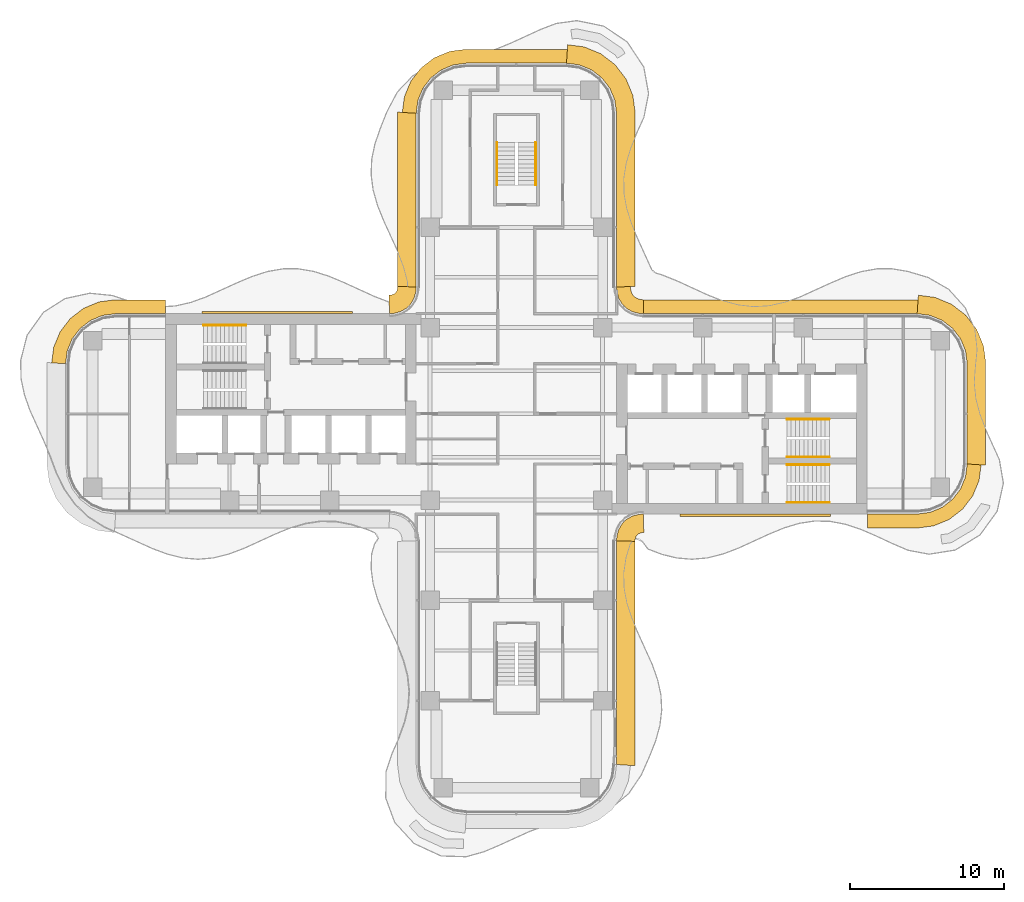
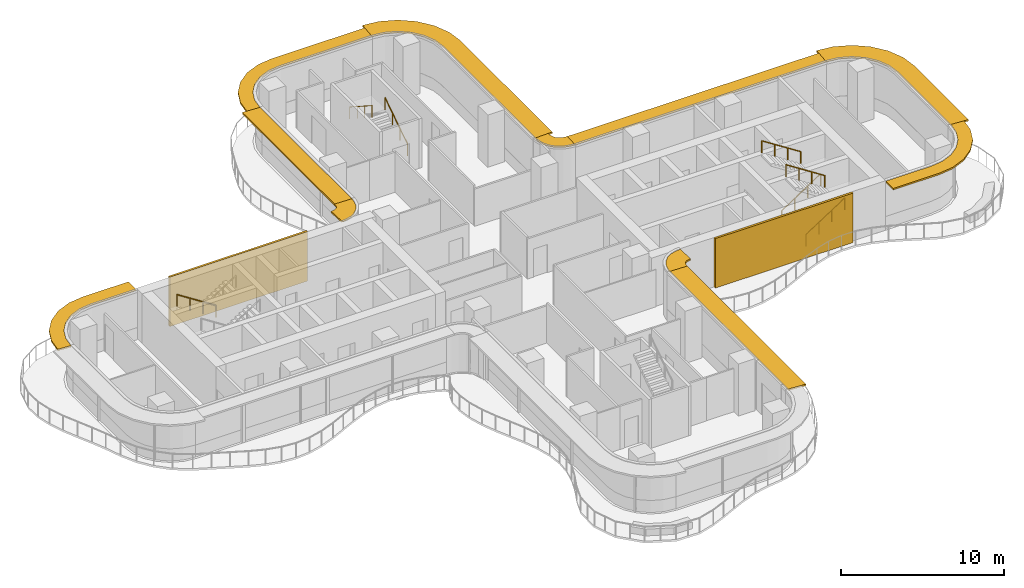
# One storey, part 19 of 19: 11 shading devices, 7 railings, 2 coverings.
"""IFC4 building model written with IfcOpenShell, lengths in metres."""

from ifc_helpers import new_model, si_unit, direction, frame, origin, origin_2d, place, context, subcontext, project, spatial, polyline, circle, outline, extrude, source, transform, mapped, material, layer, layer_set, type_object, element, save


model = new_model("IFC4")

# Units and contexts
model_context = context("Model", 3, precision=1e-05, world=origin(), true_north=direction((0.0, 1.0)))
body_context = subcontext(model_context, "Body", "Model", "MODEL_VIEW")
ifc_project = project(units=[si_unit("LENGTHUNIT", "METRE"), si_unit("AREAUNIT", "SQUARE_METRE"), si_unit("VOLUMEUNIT", "CUBIC_METRE"), si_unit("PLANEANGLEUNIT", "RADIAN"), si_unit("MASSUNIT", "GRAM", prefix="KILO")], contexts=[model_context])

# Site, building, storey
site_placement = place(None, origin())
site = spatial("IfcSite", under=ifc_project, at=site_placement, CompositionType="ELEMENT")
building_placement = place(site_placement, origin())
building = spatial("IfcBuilding", under=site, at=building_placement, Name="Trellis Farm Tower", CompositionType="ELEMENT")
storey_placement = place(building_placement, frame((0.0, 0.0, 197.10009765625)))
storey = spatial("IfcBuildingStorey", under=building, at=storey_placement, Name="L43", CompositionType="ELEMENT", Elevation=197.10009765625)

# Railings
ifc_material_1 = material(Name="Stainless steel", Category="steel")
railing_type = type_object("IfcRailingType", Name="STAIR HANDRAIL 900", PredefinedType="HANDRAIL", material=ifc_material_1)
shared_shape_1 = source(origin(), body_context, "Body", "SweptSolid", [
    extrude(circle(Radius=0.02392578125, at=origin_2d()), frame((0.0, 0.0, 0.8759765625), z_axis=(0.0, 0.840503830235, 0.541805602924), x_axis=(-1.0, 0.0, 0.0)), (0.0, 0.0, 1.0), 3.271728515625),
    extrude(circle(Radius=0.02099609375, at=origin_2d()), origin(), (0.0, 0.0, 1.0), 0.851806640625),
    extrude(circle(Radius=0.02099609375, at=origin_2d()), frame((0.0, 0.916748046875, 0.5908203125)), (0.0, 0.0, 1.0), 0.851806640625),
    extrude(circle(Radius=0.02099609375, at=origin_2d()), frame((0.0, 1.833251953125, 1.181884765625)), (0.0, 0.0, 1.0), 0.851806640625),
    extrude(circle(Radius=0.02099609375, at=origin_2d()), frame((0.0, 2.75, 1.772705078125)), (0.0, 0.0, 1.0), 0.851806640625),
])
railing_1_placement = place(storey_placement, frame((1.25, 14.85009765625, 0.17724609375)))
element("IfcRailing", 1, at=railing_1_placement, inside=storey, type_object=railing_type, Name="Stair handrail", PredefinedType="HANDRAIL", context=body_context, shape_type="MappedRepresentation", body=[
    mapped(shared_shape_1, transform((0.0, 0.0, 0.0))),
])
shared_shape_2 = source(origin(), body_context, "Body", "SweptSolid", [
    extrude(circle(Radius=0.02392578125, at=origin_2d()), frame((0.0, 0.0, 0.8759765625), z_axis=(0.0, -0.840503830235, 0.541805602924), x_axis=(1.0, 0.0, 0.0)), (0.0, 0.0, 1.0), 3.271728515625),
    extrude(circle(Radius=0.02099609375, at=origin_2d()), origin(), (0.0, 0.0, 1.0), 0.851806640625),
    extrude(circle(Radius=0.02099609375, at=origin_2d()), frame((0.0, -0.916748046875, 0.5908203125)), (0.0, 0.0, 1.0), 0.851806640625),
    extrude(circle(Radius=0.02099609375, at=origin_2d()), frame((0.0, -1.833251953125, 1.181884765625)), (0.0, 0.0, 1.0), 0.851806640625),
    extrude(circle(Radius=0.02099609375, at=origin_2d()), frame((0.0, -2.75, 1.772705078125)), (0.0, 0.0, 1.0), 0.851806640625),
])
railing_2_placement = place(storey_placement, frame((-1.25, 17.60009765625, 2.127197265625)))
element("IfcRailing", 2, at=railing_2_placement, inside=storey, type_object=railing_type, Name="Stair handrail", PredefinedType="HANDRAIL", context=body_context, shape_type="MappedRepresentation", body=[
    mapped(shared_shape_2, transform((0.0, 0.0, 0.0))),
])
shared_shape_3 = source(origin(), body_context, "Body", "SweptSolid", [
    extrude(circle(Radius=0.02392578125, at=origin_2d()), frame((0.0, 0.0, 0.8759765625), z_axis=(0.840503830235, 0.0, 0.541805602924), x_axis=(0.0, 1.0, 0.0)), (0.0, 0.0, 1.0), 3.271728515625),
    extrude(circle(Radius=0.02099609375, at=origin_2d()), origin(), (0.0, 0.0, 1.0), 0.851806640625),
    extrude(circle(Radius=0.02099609375, at=origin_2d()), frame((0.916748046875, 0.0, 0.5908203125)), (0.0, 0.0, 1.0), 0.851806640625),
    extrude(circle(Radius=0.02099609375, at=origin_2d()), frame((1.833251953125, 0.0, 1.181884765625)), (0.0, 0.0, 1.0), 0.851806640625),
    extrude(circle(Radius=0.02099609375, at=origin_2d()), frame((2.75, 0.0, 1.772705078125)), (0.0, 0.0, 1.0), 0.851806640625),
])
for number, where, name in (
    (3, (17.550048828125, -5.75, 0.17724609375), "Stair handrail"),
    (4, (17.550048828125, -2.800048828125, 0.17724609375), "Stair handrail"),
):
    element("IfcRailing", number, at=place(storey_placement, frame(where)), inside=storey, type_object=railing_type, Name=name, PredefinedType="HANDRAIL", context=body_context, shape_type="MappedRepresentation", body=[
        mapped(shared_shape_3, transform((0.0, 0.0, 0.0))),
    ])
shared_shape_4 = source(origin(), body_context, "Body", "SweptSolid", [
    extrude(circle(Radius=0.02392578125, at=origin_2d()), frame((0.0, 0.0, 0.8759765625), z_axis=(-0.840503830235, 0.0, 0.541805602924), x_axis=(0.0, -1.0, 0.0)), (0.0, 0.0, 1.0), 3.271728515625),
    extrude(circle(Radius=0.02099609375, at=origin_2d()), origin(), (0.0, 0.0, 1.0), 0.851806640625),
    extrude(circle(Radius=0.02099609375, at=origin_2d()), frame((-0.916748046875, 0.0, 0.5908203125)), (0.0, 0.0, 1.0), 0.851806640625),
    extrude(circle(Radius=0.02099609375, at=origin_2d()), frame((-1.833251953125, 0.0, 1.181884765625)), (0.0, 0.0, 1.0), 0.851806640625),
    extrude(circle(Radius=0.02099609375, at=origin_2d()), frame((-2.75, 0.0, 1.772705078125)), (0.0, 0.0, 1.0), 0.851806640625),
])
for number, where, name in (
    (5, (20.300048828125, -3.300048828125, 2.127197265625), "Stair handrail"),
    (6, (20.300048828125, -0.35009765625, 2.127197265625), "Stair handrail"),
    (7, (-17.550048828125, 5.75, 0.17724609375), "Stair handrail"),
):
    element("IfcRailing", number, at=place(storey_placement, frame(where)), inside=storey, type_object=railing_type, Name=name, PredefinedType="HANDRAIL", context=body_context, shape_type="MappedRepresentation", body=[
        mapped(shared_shape_4, transform((0.0, 0.0, 0.0))),
    ])

# Shading devices
ifc_material_2 = material(Name="Aluminium extrusion 6063-T6", Category="aluminium")
ifc_layer_1 = layer(ifc_material_2, 0.1201171875)
ifc_layer_set_1 = layer_set([ifc_layer_1], Name="SUNSHADE BLADE 1200")
shading_device_type_1 = type_object("IfcShadingDeviceType", Name="SUNSHADE BLADE 1200", PredefinedType="USERDEFINED", material=ifc_layer_set_1)
shared_shape_5 = source(origin(), body_context, "Body", "SweptSolid", [
    extrude(outline(polyline([(7.699951171875, -22.82861328125), (7.699951171875, -8.270751953125), (6.5, -8.2314453125), (6.5, -22.75), (7.699951171875, -22.82861328125)])), origin(), (0.0, 0.0, 1.0), 0.1201171875),
])
placement_1 = place(storey_placement, frame((0.0, 0.0, 3.539794921875)))
element("IfcShadingDevice", 8, at=placement_1, inside=storey, type_object=shading_device_type_1, Name="SD2 005", ObjectType="SUNSHADE", PredefinedType="USERDEFINED", context=body_context, shape_type="MappedRepresentation", body=[
    mapped(shared_shape_5, transform((0.0, 0.0, 0.0))),
])
shared_shape_6 = source(origin(), body_context, "Body", "SweptSolid", [
    extrude(outline(polyline([(7.699951171875, -8.270751953125), (7.708740234375, -8.13720703125), (7.70703125, -8.150146484375), (7.7548828125, -7.9716796875), (7.80712890625, -7.881103515625), (7.881103515625, -7.80712890625), (7.9716796875, -7.7548828125), (8.150146484375, -7.70703125), (8.13720703125, -7.708740234375), (8.270751953125, -7.699951171875), (8.2314453125, -6.5), (8.01953125, -6.513916015625), (7.91552734375, -6.527587890625), (7.508544921875, -6.63671875), (7.144287109375, -6.846923828125), (6.846923828125, -7.144287109375), (6.63671875, -7.508544921875), (6.527587890625, -7.91552734375), (6.513916015625, -8.01953125), (6.5, -8.2314453125), (7.699951171875, -8.270751953125)])), origin(), (0.0, 0.0, 1.0), 0.1201171875),
])
element("IfcShadingDevice", 9, at=placement_1, inside=storey, type_object=shading_device_type_1, Name="SD2 006", ObjectType="SUNSHADE", PredefinedType="USERDEFINED", context=body_context, shape_type="MappedRepresentation", body=[
    mapped(shared_shape_6, transform((0.0, 0.0, 0.0))),
])
ifc_layer_2 = layer(ifc_material_2, 0.1201171875)
ifc_layer_set_2 = layer_set([ifc_layer_2], Name="SUNSHADE BLADE 900")
shading_device_type_2 = type_object("IfcShadingDeviceType", Name="SUNSHADE BLADE 900", PredefinedType="USERDEFINED", material=ifc_layer_set_2)
shared_shape_7 = source(origin(), body_context, "Body", "SweptSolid", [
    extrude(outline(polyline([(22.780029296875, -7.39990234375), (26.05908203125, -7.39990234375), (27.076171875, -7.26611328125), (28.078857421875, -6.850830078125), (28.93994140625, -6.18994140625), (29.600830078125, -5.328857421875), (30.01611328125, -4.326171875), (30.14990234375, -3.30908203125), (29.25, -3.25), (29.13916015625, -4.091064453125), (28.814697265625, -4.875), (28.298095703125, -5.548095703125), (27.625, -6.064697265625), (26.841064453125, -6.38916015625), (26.0, -6.5), (22.780029296875, -6.5), (22.780029296875, -7.39990234375)])), origin(), (0.0, 0.0, 1.0), 0.1201171875),
])
element("IfcShadingDevice", 10, at=placement_1, inside=storey, type_object=shading_device_type_2, Name="SD1 007", ObjectType="SUNSHADE", PredefinedType="USERDEFINED", context=body_context, shape_type="MappedRepresentation", body=[
    mapped(shared_shape_7, transform((0.0, 0.0, 0.0))),
])
shared_shape_8 = source(origin(), body_context, "Body", "SweptSolid", [
    extrude(outline(polyline([(30.449951171875, -3.32861328125), (30.449951171875, 3.32861328125), (30.308349609375, 4.404541015625), (29.86279296875, 5.480224609375), (29.154052734375, 6.404052734375), (28.230224609375, 7.11279296875), (27.154541015625, 7.558349609375), (26.07861328125, 7.699951171875), (26.0, 6.5), (26.841064453125, 6.38916015625), (27.625, 6.064697265625), (28.298095703125, 5.548095703125), (28.814697265625, 4.875), (29.13916015625, 4.091064453125), (29.25, 3.25), (29.25, -3.25), (30.449951171875, -3.32861328125)])), origin(), (0.0, 0.0, 1.0), 0.1201171875),
])
element("IfcShadingDevice", 11, at=placement_1, inside=storey, type_object=shading_device_type_1, Name="SD2 008", ObjectType="SUNSHADE", PredefinedType="USERDEFINED", context=body_context, shape_type="MappedRepresentation", body=[
    mapped(shared_shape_8, transform((0.0, 0.0, 0.0))),
])
shared_shape_9 = source(origin(), body_context, "Body", "SweptSolid", [
    extrude(outline(polyline([(26.05908203125, 7.39990234375), (8.2607421875, 7.39990234375), (8.2314453125, 6.5), (26.0, 6.5), (26.05908203125, 7.39990234375)])), origin(), (0.0, 0.0, 1.0), 0.1201171875),
])
element("IfcShadingDevice", 12, at=placement_1, inside=storey, type_object=shading_device_type_2, Name="SD1 009", ObjectType="SUNSHADE", PredefinedType="USERDEFINED", context=body_context, shape_type="MappedRepresentation", body=[
    mapped(shared_shape_9, transform((0.0, 0.0, 0.0))),
])
shared_shape_10 = source(origin(), body_context, "Body", "SweptSolid", [
    extrude(outline(polyline([(8.2607421875, 7.39990234375), (8.107666015625, 7.409912109375), (8.091552734375, 7.412109375), (7.85595703125, 7.475341796875), (7.697021484375, 7.567138671875), (7.567138671875, 7.697021484375), (7.475341796875, 7.85595703125), (7.412109375, 8.091552734375), (7.409912109375, 8.107666015625), (7.39990234375, 8.2607421875), (6.5, 8.2314453125), (6.513916015625, 8.01953125), (6.527587890625, 7.91552734375), (6.63671875, 7.508544921875), (6.846923828125, 7.144287109375), (7.144287109375, 6.846923828125), (7.508544921875, 6.63671875), (7.91552734375, 6.527587890625), (8.01953125, 6.513916015625), (8.2314453125, 6.5), (8.2607421875, 7.39990234375)])), origin(), (0.0, 0.0, 1.0), 0.1201171875),
])
element("IfcShadingDevice", 13, at=placement_1, inside=storey, type_object=shading_device_type_2, Name="SD1 010", ObjectType="SUNSHADE", PredefinedType="USERDEFINED", context=body_context, shape_type="MappedRepresentation", body=[
    mapped(shared_shape_10, transform((0.0, 0.0, 0.0))),
])
shared_shape_11 = source(origin(), body_context, "Body", "SweptSolid", [
    extrude(outline(polyline([(-7.699951171875, 8.270751953125), (-7.708740234375, 8.13720703125), (-7.70703125, 8.150146484375), (-7.7548828125, 7.9716796875), (-7.80712890625, 7.881103515625), (-7.881103515625, 7.80712890625), (-7.9716796875, 7.7548828125), (-8.150146484375, 7.70703125), (-8.13720703125, 7.708740234375), (-8.270751953125, 7.699951171875), (-8.2314453125, 6.5), (-8.01953125, 6.513916015625), (-7.91552734375, 6.527587890625), (-7.508544921875, 6.63671875), (-7.144287109375, 6.846923828125), (-6.846923828125, 7.144287109375), (-6.63671875, 7.508544921875), (-6.527587890625, 7.91552734375), (-6.513916015625, 8.01953125), (-6.5, 8.2314453125), (-7.699951171875, 8.270751953125)])), origin(), (0.0, 0.0, 1.0), 0.1201171875),
])
element("IfcShadingDevice", 14, at=placement_1, inside=storey, type_object=shading_device_type_1, Name="SD2 014", ObjectType="SUNSHADE", PredefinedType="USERDEFINED", context=body_context, shape_type="MappedRepresentation", body=[
    mapped(shared_shape_11, transform((0.0, 0.0, 0.0))),
])

# Coverings
ifc_material_3 = material(Name="Perforated precast screen (cobogo)", Category="concrete")
ifc_layer_3 = layer(ifc_material_3, 0.14990234375)
ifc_layer_set_3 = layer_set([ifc_layer_3], Name="COBOGO SCREEN PANEL")
covering_type = type_object("IfcCoveringType", Name="COBOGO SCREEN PANEL", PredefinedType="USERDEFINED", material=ifc_layer_set_3)
shared_shape_12 = source(origin(), body_context, "Body", "SweptSolid", [
    extrude(outline(polyline([(10.630615234375, -6.64990234375), (20.380615234375, -6.64990234375), (20.380615234375, -6.5), (10.630615234375, -6.5), (10.630615234375, -6.64990234375)])), origin(), (0.0, 0.0, 1.0), 3.699951171875),
])
placement_2 = place(storey_placement, origin())
element("IfcCovering", 15, at=placement_2, inside=storey, type_object=covering_type, Name="SC1 01", ObjectType="SCREEN", PredefinedType="USERDEFINED", context=body_context, shape_type="MappedRepresentation", body=[
    mapped(shared_shape_12, transform((0.0, 0.0, 0.0))),
])
shared_shape_13 = source(origin(), body_context, "Body", "SweptSolid", [
    extrude(outline(polyline([(-10.630615234375, 6.64990234375), (-20.380615234375, 6.64990234375), (-20.380615234375, 6.5), (-10.630615234375, 6.5), (-10.630615234375, 6.64990234375)])), origin(), (0.0, 0.0, 1.0), 3.699951171875),
])
element("IfcCovering", 16, at=placement_2, inside=storey, type_object=covering_type, Name="SC1 02", ObjectType="SCREEN", PredefinedType="USERDEFINED", context=body_context, shape_type="MappedRepresentation", body=[
    mapped(shared_shape_13, transform((0.0, 0.0, 0.0))),
])

# Shading devices
shared_shape_14 = source(origin(), body_context, "Body", "SweptSolid", [
    extrude(outline(polyline([(-22.780029296875, 7.39990234375), (-26.05908203125, 7.39990234375), (-27.076171875, 7.26611328125), (-28.078857421875, 6.850830078125), (-28.93994140625, 6.18994140625), (-29.600830078125, 5.328857421875), (-30.01611328125, 4.326171875), (-30.14990234375, 3.30908203125), (-29.25, 3.25), (-29.13916015625, 4.091064453125), (-28.814697265625, 4.875), (-28.298095703125, 5.548095703125), (-27.625, 6.064697265625), (-26.841064453125, 6.38916015625), (-26.0, 6.5), (-22.780029296875, 6.5), (-22.780029296875, 7.39990234375)])), origin(), (0.0, 0.0, 1.0), 0.1201171875),
])
element("IfcShadingDevice", 17, at=placement_1, inside=storey, type_object=shading_device_type_2, Name="SD1 015", ObjectType="SUNSHADE", PredefinedType="USERDEFINED", context=body_context, shape_type="MappedRepresentation", body=[
    mapped(shared_shape_14, transform((0.0, 0.0, 0.0))),
])
shared_shape_15 = source(origin(), body_context, "Body", "SweptSolid", [
    extrude(outline(polyline([(7.699951171875, 8.270751953125), (7.699951171875, 19.57861328125), (7.558349609375, 20.654541015625), (7.11279296875, 21.730224609375), (6.404052734375, 22.654052734375), (5.480224609375, 23.36279296875), (4.404541015625, 23.808349609375), (3.32861328125, 23.949951171875), (3.25, 22.75), (4.091064453125, 22.63916015625), (4.875, 22.314697265625), (5.548095703125, 21.798095703125), (6.064697265625, 21.125), (6.38916015625, 20.341064453125), (6.5, 19.5), (6.5, 8.2314453125), (7.699951171875, 8.270751953125)])), origin(), (0.0, 0.0, 1.0), 0.1201171875),
])
element("IfcShadingDevice", 18, at=placement_1, inside=storey, type_object=shading_device_type_1, Name="SD2 011", ObjectType="SUNSHADE", PredefinedType="USERDEFINED", context=body_context, shape_type="MappedRepresentation", body=[
    mapped(shared_shape_15, transform((0.0, 0.0, 0.0))),
])
shared_shape_16 = source(origin(), body_context, "Body", "SweptSolid", [
    extrude(outline(polyline([(3.30908203125, 23.64990234375), (-3.30908203125, 23.64990234375), (-4.326171875, 23.51611328125), (-5.328857421875, 23.100830078125), (-6.18994140625, 22.43994140625), (-6.850830078125, 21.578857421875), (-7.26611328125, 20.576171875), (-7.39990234375, 19.55908203125), (-6.5, 19.5), (-6.38916015625, 20.341064453125), (-6.064697265625, 21.125), (-5.548095703125, 21.798095703125), (-4.875, 22.314697265625), (-4.091064453125, 22.63916015625), (-3.25, 22.75), (3.25, 22.75), (3.30908203125, 23.64990234375)])), origin(), (0.0, 0.0, 1.0), 0.1201171875),
])
element("IfcShadingDevice", 19, at=placement_1, inside=storey, type_object=shading_device_type_2, Name="SD1 012", ObjectType="SUNSHADE", PredefinedType="USERDEFINED", context=body_context, shape_type="MappedRepresentation", body=[
    mapped(shared_shape_16, transform((0.0, 0.0, 0.0))),
])
shared_shape_17 = source(origin(), body_context, "Body", "SweptSolid", [
    extrude(outline(polyline([(-7.699951171875, 19.57861328125), (-7.699951171875, 8.270751953125), (-6.5, 8.2314453125), (-6.5, 19.5), (-7.699951171875, 19.57861328125)])), origin(), (0.0, 0.0, 1.0), 0.1201171875),
])
element("IfcShadingDevice", 20, at=placement_1, inside=storey, type_object=shading_device_type_1, Name="SD2 013", ObjectType="SUNSHADE", PredefinedType="USERDEFINED", context=body_context, shape_type="MappedRepresentation", body=[
    mapped(shared_shape_17, transform((0.0, 0.0, 0.0))),
])

save(model, "model.ifc")
